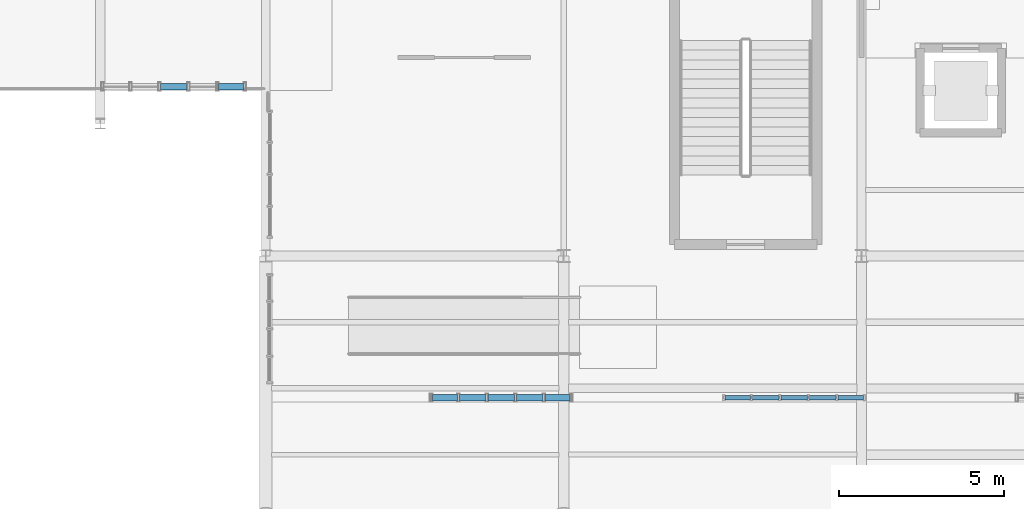
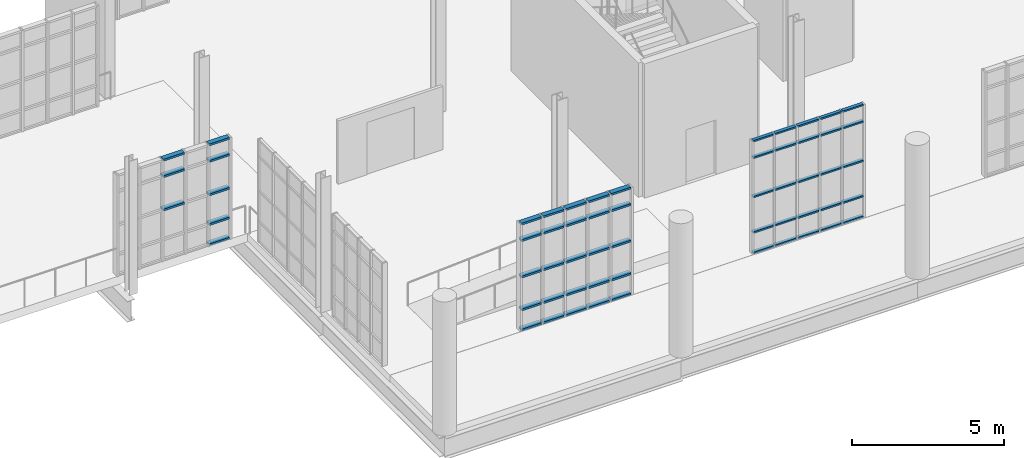
# One storey, part 122 of 189: 58 members, 3 elements without a shape of their own.
"""IFC4 building model written with IfcOpenShell, lengths in metres."""

from ifc_helpers import new_model, si_unit, direction, frame, origin, origin_2d, place, context, subcontext, project, spatial, hollow_rectangle, extrude, material, layer, layer_set, material_profile, profile_set, type_object, element, aggregate, save


model = new_model("IFC4")

# Units and contexts
model_context = context("Model", 3, precision=1e-05, world=origin(), true_north=direction((0.0, 1.0)))
body_context = subcontext(model_context, "Body", "Model", "MODEL_VIEW")
ifc_project = project(units=[si_unit("LENGTHUNIT", "METRE"), si_unit("AREAUNIT", "SQUARE_METRE"), si_unit("VOLUMEUNIT", "CUBIC_METRE"), si_unit("PLANEANGLEUNIT", "RADIAN"), si_unit("MASSUNIT", "GRAM", prefix="KILO"), si_unit("THERMODYNAMICTEMPERATUREUNIT", "KELVIN"), si_unit("POWERUNIT", "WATT")], contexts=[model_context])

# Site, building, storey
site_placement = place(None, origin())
site = spatial("IfcSite", under=ifc_project, at=site_placement, CompositionType="ELEMENT")
building_placement = place(site_placement, origin())
building = spatial("IfcBuilding", under=site, at=building_placement, Name="Zelmaris Science Centre", CompositionType="ELEMENT")
storey_placement = place(building_placement, origin())
storey = spatial("IfcBuildingStorey", under=building, at=storey_placement, Name="L00", CompositionType="ELEMENT", Elevation=0.0)

# Curtain wall, members
ifc_material = material(Name="Anodised architectural aluminium 6063-T6", Category="aluminium")
ifc_layer_1 = layer(ifc_material, 0.2099609375, Name="Anodised architectural aluminium 6063-T6")
ifc_layer_set_1 = layer_set([ifc_layer_1], Name="Anodised architectural aluminium 6063-T6")
curtain_wall_type_1 = type_object("IfcCurtainWallType", Name="Curtain Wall CW-03", PredefinedType="USERDEFINED", material=ifc_layer_set_1)
curtain_wall_1_placement = place(storey_placement, origin())
curtain_wall_1 = element("IfcCurtainWall", 1, at=curtain_wall_1_placement, inside=storey, type_object=curtain_wall_type_1, Name="L00 Unitised curtain wall 107", ObjectType="GLAZED CURTAIN WALL", PredefinedType="USERDEFINED")
ifc_material_profile_1 = material_profile(ifc_material, hollow_rectangle(XDim=0.06494140625, YDim=0.1298828125, WallThickness=0.00341796875, at=origin_2d()), Name="ALU-TRN-65X130")
ifc_profile_set_1 = profile_set([ifc_material_profile_1], Name="Anodised architectural aluminium 6063-T6")
member_type_1 = type_object("IfcMemberType", Name="ALU-TRN-65X130", PredefinedType="USERDEFINED", material=ifc_profile_set_1)
member_1_placement = place(storey_placement, frame((126.05810546875, 11.72021484375, 0.013427734375), z_axis=(-1.0, 0.0, 0.0), x_axis=(0.0, 0.0, 1.0)))
member_1 = element("IfcMember", 2, at=member_1_placement, type_object=member_type_1, Name="CW-03 transom 1.1", ObjectType="TRANSOM", PredefinedType="USERDEFINED", context=body_context, shape_type="SweptSolid", body=[
    extrude(hollow_rectangle(XDim=0.06494140625, YDim=0.1298828125, WallThickness=0.00341796875, at=origin_2d()), origin(), (0.0, 0.0, 1.0), 0.775390625),
])
member_2_placement = place(storey_placement, frame((126.05810546875, 11.72021484375, 0.8349609375), z_axis=(-1.0, 0.0, 0.0), x_axis=(0.0, 0.0, 1.0)))
member_2 = element("IfcMember", 3, at=member_2_placement, type_object=member_type_1, Name="CW-03 transom 1.2", ObjectType="TRANSOM", PredefinedType="USERDEFINED", context=body_context, shape_type="SweptSolid", body=[
    extrude(hollow_rectangle(XDim=0.06494140625, YDim=0.1298828125, WallThickness=0.00341796875, at=origin_2d()), origin(), (0.0, 0.0, 1.0), 0.775390625),
])
member_3_placement = place(storey_placement, frame((126.05810546875, 11.72021484375, 2.261962890625), z_axis=(-1.0, 0.0, 0.0), x_axis=(0.0, 0.0, 1.0)))
member_3 = element("IfcMember", 4, at=member_3_placement, type_object=member_type_1, Name="CW-03 transom 1.3", ObjectType="TRANSOM", PredefinedType="USERDEFINED", context=body_context, shape_type="SweptSolid", body=[
    extrude(hollow_rectangle(XDim=0.06494140625, YDim=0.1298828125, WallThickness=0.00341796875, at=origin_2d()), origin(), (0.0, 0.0, 1.0), 0.775390625),
])
member_4_placement = place(storey_placement, frame((126.05810546875, 11.72021484375, 3.839111328125), z_axis=(-1.0, 0.0, 0.0), x_axis=(0.0, 0.0, 1.0)))
member_4 = element("IfcMember", 5, at=member_4_placement, type_object=member_type_1, Name="CW-03 transom 1.4", ObjectType="TRANSOM", PredefinedType="USERDEFINED", context=body_context, shape_type="SweptSolid", body=[
    extrude(hollow_rectangle(XDim=0.06494140625, YDim=0.1298828125, WallThickness=0.00341796875, at=origin_2d()), origin(), (0.0, 0.0, 1.0), 0.775390625),
])
member_5_placement = place(storey_placement, frame((126.05810546875, 11.72021484375, 4.510498046875), z_axis=(-1.0, 0.0, 0.0), x_axis=(0.0, 0.0, 1.0)))
member_5 = element("IfcMember", 6, at=member_5_placement, type_object=member_type_1, Name="CW-03 transom 1.5", ObjectType="TRANSOM", PredefinedType="USERDEFINED", context=body_context, shape_type="SweptSolid", body=[
    extrude(hollow_rectangle(XDim=0.06494140625, YDim=0.1298828125, WallThickness=0.00341796875, at=origin_2d()), origin(), (0.0, 0.0, 1.0), 0.775390625),
])
member_6_placement = place(storey_placement, frame((125.225830078125, 11.72021484375, 0.013427734375), z_axis=(-1.0, 0.0, 0.0), x_axis=(0.0, 0.0, 1.0)))
member_6 = element("IfcMember", 7, at=member_6_placement, type_object=member_type_1, Name="CW-03 transom 2.1", ObjectType="TRANSOM", PredefinedType="USERDEFINED", context=body_context, shape_type="SweptSolid", body=[
    extrude(hollow_rectangle(XDim=0.06494140625, YDim=0.1298828125, WallThickness=0.00341796875, at=origin_2d()), origin(), (0.0, 0.0, 1.0), 0.8037109375),
])
member_7_placement = place(storey_placement, frame((125.225830078125, 11.72021484375, 0.8349609375), z_axis=(-1.0, 0.0, 0.0), x_axis=(0.0, 0.0, 1.0)))
member_7 = element("IfcMember", 8, at=member_7_placement, type_object=member_type_1, Name="CW-03 transom 2.2", ObjectType="TRANSOM", PredefinedType="USERDEFINED", context=body_context, shape_type="SweptSolid", body=[
    extrude(hollow_rectangle(XDim=0.06494140625, YDim=0.1298828125, WallThickness=0.00341796875, at=origin_2d()), origin(), (0.0, 0.0, 1.0), 0.8037109375),
])
member_8_placement = place(storey_placement, frame((125.225830078125, 11.72021484375, 2.261962890625), z_axis=(-1.0, 0.0, 0.0), x_axis=(0.0, 0.0, 1.0)))
member_8 = element("IfcMember", 9, at=member_8_placement, type_object=member_type_1, Name="CW-03 transom 2.3", ObjectType="TRANSOM", PredefinedType="USERDEFINED", context=body_context, shape_type="SweptSolid", body=[
    extrude(hollow_rectangle(XDim=0.06494140625, YDim=0.1298828125, WallThickness=0.00341796875, at=origin_2d()), origin(), (0.0, 0.0, 1.0), 0.8037109375),
])
member_9_placement = place(storey_placement, frame((125.225830078125, 11.72021484375, 3.839111328125), z_axis=(-1.0, 0.0, 0.0), x_axis=(0.0, 0.0, 1.0)))
member_9 = element("IfcMember", 10, at=member_9_placement, type_object=member_type_1, Name="CW-03 transom 2.4", ObjectType="TRANSOM", PredefinedType="USERDEFINED", context=body_context, shape_type="SweptSolid", body=[
    extrude(hollow_rectangle(XDim=0.06494140625, YDim=0.1298828125, WallThickness=0.00341796875, at=origin_2d()), origin(), (0.0, 0.0, 1.0), 0.8037109375),
])
member_10_placement = place(storey_placement, frame((125.225830078125, 11.72021484375, 4.510498046875), z_axis=(-1.0, 0.0, 0.0), x_axis=(0.0, 0.0, 1.0)))
member_10 = element("IfcMember", 11, at=member_10_placement, type_object=member_type_1, Name="CW-03 transom 2.5", ObjectType="TRANSOM", PredefinedType="USERDEFINED", context=body_context, shape_type="SweptSolid", body=[
    extrude(hollow_rectangle(XDim=0.06494140625, YDim=0.1298828125, WallThickness=0.00341796875, at=origin_2d()), origin(), (0.0, 0.0, 1.0), 0.8037109375),
])
member_11_placement = place(storey_placement, frame((124.364990234375, 11.72021484375, 0.013427734375), z_axis=(-1.0, 0.0, 0.0), x_axis=(0.0, 0.0, 1.0)))
member_11 = element("IfcMember", 12, at=member_11_placement, type_object=member_type_1, Name="CW-03 transom 3.1", ObjectType="TRANSOM", PredefinedType="USERDEFINED", context=body_context, shape_type="SweptSolid", body=[
    extrude(hollow_rectangle(XDim=0.06494140625, YDim=0.1298828125, WallThickness=0.00341796875, at=origin_2d()), origin(), (0.0, 0.0, 1.0), 0.8037109375),
])
member_12_placement = place(storey_placement, frame((124.364990234375, 11.72021484375, 0.8349609375), z_axis=(-1.0, 0.0, 0.0), x_axis=(0.0, 0.0, 1.0)))
member_12 = element("IfcMember", 13, at=member_12_placement, type_object=member_type_1, Name="CW-03 transom 3.2", ObjectType="TRANSOM", PredefinedType="USERDEFINED", context=body_context, shape_type="SweptSolid", body=[
    extrude(hollow_rectangle(XDim=0.06494140625, YDim=0.1298828125, WallThickness=0.00341796875, at=origin_2d()), origin(), (0.0, 0.0, 1.0), 0.8037109375),
])
member_13_placement = place(storey_placement, frame((124.364990234375, 11.72021484375, 2.261962890625), z_axis=(-1.0, 0.0, 0.0), x_axis=(0.0, 0.0, 1.0)))
member_13 = element("IfcMember", 14, at=member_13_placement, type_object=member_type_1, Name="CW-03 transom 3.3", ObjectType="TRANSOM", PredefinedType="USERDEFINED", context=body_context, shape_type="SweptSolid", body=[
    extrude(hollow_rectangle(XDim=0.06494140625, YDim=0.1298828125, WallThickness=0.00341796875, at=origin_2d()), origin(), (0.0, 0.0, 1.0), 0.8037109375),
])
member_14_placement = place(storey_placement, frame((124.364990234375, 11.72021484375, 3.839111328125), z_axis=(-1.0, 0.0, 0.0), x_axis=(0.0, 0.0, 1.0)))
member_14 = element("IfcMember", 15, at=member_14_placement, type_object=member_type_1, Name="CW-03 transom 3.4", ObjectType="TRANSOM", PredefinedType="USERDEFINED", context=body_context, shape_type="SweptSolid", body=[
    extrude(hollow_rectangle(XDim=0.06494140625, YDim=0.1298828125, WallThickness=0.00341796875, at=origin_2d()), origin(), (0.0, 0.0, 1.0), 0.8037109375),
])
member_15_placement = place(storey_placement, frame((124.364990234375, 11.72021484375, 4.510498046875), z_axis=(-1.0, 0.0, 0.0), x_axis=(0.0, 0.0, 1.0)))
member_15 = element("IfcMember", 16, at=member_15_placement, type_object=member_type_1, Name="CW-03 transom 3.5", ObjectType="TRANSOM", PredefinedType="USERDEFINED", context=body_context, shape_type="SweptSolid", body=[
    extrude(hollow_rectangle(XDim=0.06494140625, YDim=0.1298828125, WallThickness=0.00341796875, at=origin_2d()), origin(), (0.0, 0.0, 1.0), 0.8037109375),
])
member_16_placement = place(storey_placement, frame((123.50439453125, 11.72021484375, 0.013427734375), z_axis=(-1.0, 0.0, 0.0), x_axis=(0.0, 0.0, 1.0)))
member_16 = element("IfcMember", 17, at=member_16_placement, type_object=member_type_1, Name="CW-03 transom 4.1", ObjectType="TRANSOM", PredefinedType="USERDEFINED", context=body_context, shape_type="SweptSolid", body=[
    extrude(hollow_rectangle(XDim=0.06494140625, YDim=0.1298828125, WallThickness=0.00341796875, at=origin_2d()), origin(), (0.0, 0.0, 1.0), 0.803955078125),
])
member_17_placement = place(storey_placement, frame((123.50439453125, 11.72021484375, 0.8349609375), z_axis=(-1.0, 0.0, 0.0), x_axis=(0.0, 0.0, 1.0)))
member_17 = element("IfcMember", 18, at=member_17_placement, type_object=member_type_1, Name="CW-03 transom 4.2", ObjectType="TRANSOM", PredefinedType="USERDEFINED", context=body_context, shape_type="SweptSolid", body=[
    extrude(hollow_rectangle(XDim=0.06494140625, YDim=0.1298828125, WallThickness=0.00341796875, at=origin_2d()), origin(), (0.0, 0.0, 1.0), 0.803955078125),
])
member_18_placement = place(storey_placement, frame((123.50439453125, 11.72021484375, 2.261962890625), z_axis=(-1.0, 0.0, 0.0), x_axis=(0.0, 0.0, 1.0)))
member_18 = element("IfcMember", 19, at=member_18_placement, type_object=member_type_1, Name="CW-03 transom 4.3", ObjectType="TRANSOM", PredefinedType="USERDEFINED", context=body_context, shape_type="SweptSolid", body=[
    extrude(hollow_rectangle(XDim=0.06494140625, YDim=0.1298828125, WallThickness=0.00341796875, at=origin_2d()), origin(), (0.0, 0.0, 1.0), 0.803955078125),
])
member_19_placement = place(storey_placement, frame((123.50439453125, 11.72021484375, 3.839111328125), z_axis=(-1.0, 0.0, 0.0), x_axis=(0.0, 0.0, 1.0)))
member_19 = element("IfcMember", 20, at=member_19_placement, type_object=member_type_1, Name="CW-03 transom 4.4", ObjectType="TRANSOM", PredefinedType="USERDEFINED", context=body_context, shape_type="SweptSolid", body=[
    extrude(hollow_rectangle(XDim=0.06494140625, YDim=0.1298828125, WallThickness=0.00341796875, at=origin_2d()), origin(), (0.0, 0.0, 1.0), 0.803955078125),
])
member_20_placement = place(storey_placement, frame((123.50439453125, 11.72021484375, 4.510498046875), z_axis=(-1.0, 0.0, 0.0), x_axis=(0.0, 0.0, 1.0)))
member_20 = element("IfcMember", 21, at=member_20_placement, type_object=member_type_1, Name="CW-03 transom 4.5", ObjectType="TRANSOM", PredefinedType="USERDEFINED", context=body_context, shape_type="SweptSolid", body=[
    extrude(hollow_rectangle(XDim=0.06494140625, YDim=0.1298828125, WallThickness=0.00341796875, at=origin_2d()), origin(), (0.0, 0.0, 1.0), 0.803955078125),
])
member_21_placement = place(storey_placement, frame((122.6435546875, 11.72021484375, 0.013427734375), z_axis=(-1.0, 0.0, 0.0), x_axis=(0.0, 0.0, 1.0)))
member_21 = element("IfcMember", 22, at=member_21_placement, type_object=member_type_1, Name="CW-03 transom 5.1", ObjectType="TRANSOM", PredefinedType="USERDEFINED", context=body_context, shape_type="SweptSolid", body=[
    extrude(hollow_rectangle(XDim=0.06494140625, YDim=0.1298828125, WallThickness=0.00341796875, at=origin_2d()), origin(), (0.0, 0.0, 1.0), 0.775146484375),
])
member_22_placement = place(storey_placement, frame((122.6435546875, 11.72021484375, 0.8349609375), z_axis=(-1.0, 0.0, 0.0), x_axis=(0.0, 0.0, 1.0)))
member_22 = element("IfcMember", 23, at=member_22_placement, type_object=member_type_1, Name="CW-03 transom 5.2", ObjectType="TRANSOM", PredefinedType="USERDEFINED", context=body_context, shape_type="SweptSolid", body=[
    extrude(hollow_rectangle(XDim=0.06494140625, YDim=0.1298828125, WallThickness=0.00341796875, at=origin_2d()), origin(), (0.0, 0.0, 1.0), 0.775146484375),
])
member_23_placement = place(storey_placement, frame((122.6435546875, 11.72021484375, 2.261962890625), z_axis=(-1.0, 0.0, 0.0), x_axis=(0.0, 0.0, 1.0)))
member_23 = element("IfcMember", 24, at=member_23_placement, type_object=member_type_1, Name="CW-03 transom 5.3", ObjectType="TRANSOM", PredefinedType="USERDEFINED", context=body_context, shape_type="SweptSolid", body=[
    extrude(hollow_rectangle(XDim=0.06494140625, YDim=0.1298828125, WallThickness=0.00341796875, at=origin_2d()), origin(), (0.0, 0.0, 1.0), 0.775146484375),
])
member_24_placement = place(storey_placement, frame((122.6435546875, 11.72021484375, 3.839111328125), z_axis=(-1.0, 0.0, 0.0), x_axis=(0.0, 0.0, 1.0)))
member_24 = element("IfcMember", 25, at=member_24_placement, type_object=member_type_1, Name="CW-03 transom 5.4", ObjectType="TRANSOM", PredefinedType="USERDEFINED", context=body_context, shape_type="SweptSolid", body=[
    extrude(hollow_rectangle(XDim=0.06494140625, YDim=0.1298828125, WallThickness=0.00341796875, at=origin_2d()), origin(), (0.0, 0.0, 1.0), 0.775146484375),
])
member_25_placement = place(storey_placement, frame((122.6435546875, 11.72021484375, 4.510498046875), z_axis=(-1.0, 0.0, 0.0), x_axis=(0.0, 0.0, 1.0)))
member_25 = element("IfcMember", 26, at=member_25_placement, type_object=member_type_1, Name="CW-03 transom 5.5", ObjectType="TRANSOM", PredefinedType="USERDEFINED", context=body_context, shape_type="SweptSolid", body=[
    extrude(hollow_rectangle(XDim=0.06494140625, YDim=0.1298828125, WallThickness=0.00341796875, at=origin_2d()), origin(), (0.0, 0.0, 1.0), 0.775146484375),
])
aggregate(curtain_wall_1, [member_1, member_2, member_3, member_4, member_5, member_6, member_7, member_8, member_9, member_10, member_11, member_12, member_13, member_14, member_15, member_16, member_17, member_18, member_19, member_20, member_21, member_22, member_23, member_24, member_25])

ifc_layer_2 = layer(ifc_material, 0.18994140625, Name="Anodised architectural aluminium 6063-T6")
ifc_layer_set_2 = layer_set([ifc_layer_2], Name="Anodised architectural aluminium 6063-T6")
curtain_wall_type_2 = type_object("IfcCurtainWallType", Name="Curtain Wall CW-01", PredefinedType="USERDEFINED", material=ifc_layer_set_2)
curtain_wall_2_placement = place(storey_placement, origin())
curtain_wall_2 = element("IfcCurtainWall", 27, at=curtain_wall_2_placement, inside=storey, type_object=curtain_wall_type_2, Name="L00 Unitised curtain wall 109", ObjectType="GLAZED CURTAIN WALL", PredefinedType="USERDEFINED")
ifc_material_profile_2 = material_profile(ifc_material, hollow_rectangle(XDim=0.080078125, YDim=0.18994140625, WallThickness=0.00439453125, at=origin_2d()), Name="ALU-TRN-80X190")
ifc_profile_set_2 = profile_set([ifc_material_profile_2], Name="Anodised architectural aluminium 6063-T6")
member_type_2 = type_object("IfcMemberType", Name="ALU-TRN-80X190", PredefinedType="USERDEFINED", material=ifc_profile_set_2)
member_26_placement = place(storey_placement, frame((117.195556640625, 11.72021484375, 0.02099609375), z_axis=(-1.0, 0.0, 0.0), x_axis=(0.0, 0.0, 1.0)))
member_26 = element("IfcMember", 28, at=member_26_placement, type_object=member_type_2, Name="CW-01 transom 1.1", ObjectType="TRANSOM", PredefinedType="USERDEFINED", context=body_context, shape_type="SweptSolid", body=[
    extrude(hollow_rectangle(XDim=0.080078125, YDim=0.18994140625, WallThickness=0.00439453125, at=origin_2d()), origin(), (0.0, 0.0, 1.0), 0.752685546875),
])
member_27_placement = place(storey_placement, frame((117.195556640625, 11.72021484375, 0.8349609375), z_axis=(-1.0, 0.0, 0.0), x_axis=(0.0, 0.0, 1.0)))
member_27 = element("IfcMember", 29, at=member_27_placement, type_object=member_type_2, Name="CW-01 transom 1.2", ObjectType="TRANSOM", PredefinedType="USERDEFINED", context=body_context, shape_type="SweptSolid", body=[
    extrude(hollow_rectangle(XDim=0.080078125, YDim=0.18994140625, WallThickness=0.00439453125, at=origin_2d()), origin(), (0.0, 0.0, 1.0), 0.752685546875),
])
member_28_placement = place(storey_placement, frame((117.195556640625, 11.72021484375, 2.154052734375), z_axis=(-1.0, 0.0, 0.0), x_axis=(0.0, 0.0, 1.0)))
member_28 = element("IfcMember", 30, at=member_28_placement, type_object=member_type_2, Name="CW-01 transom 1.3", ObjectType="TRANSOM", PredefinedType="USERDEFINED", context=body_context, shape_type="SweptSolid", body=[
    extrude(hollow_rectangle(XDim=0.080078125, YDim=0.18994140625, WallThickness=0.00439453125, at=origin_2d()), origin(), (0.0, 0.0, 1.0), 0.752685546875),
])
member_29_placement = place(storey_placement, frame((117.195556640625, 11.72021484375, 3.623046875), z_axis=(-1.0, 0.0, 0.0), x_axis=(0.0, 0.0, 1.0)))
member_29 = element("IfcMember", 31, at=member_29_placement, type_object=member_type_2, Name="CW-01 transom 1.4", ObjectType="TRANSOM", PredefinedType="USERDEFINED", context=body_context, shape_type="SweptSolid", body=[
    extrude(hollow_rectangle(XDim=0.080078125, YDim=0.18994140625, WallThickness=0.00439453125, at=origin_2d()), origin(), (0.0, 0.0, 1.0), 0.752685546875),
])
member_30_placement = place(storey_placement, frame((117.195556640625, 11.72021484375, 4.287109375), z_axis=(-1.0, 0.0, 0.0), x_axis=(0.0, 0.0, 1.0)))
member_30 = element("IfcMember", 32, at=member_30_placement, type_object=member_type_2, Name="CW-01 transom 1.5", ObjectType="TRANSOM", PredefinedType="USERDEFINED", context=body_context, shape_type="SweptSolid", body=[
    extrude(hollow_rectangle(XDim=0.080078125, YDim=0.18994140625, WallThickness=0.00439453125, at=origin_2d()), origin(), (0.0, 0.0, 1.0), 0.752685546875),
])
member_31_placement = place(storey_placement, frame((116.370849609375, 11.72021484375, 0.02099609375), z_axis=(-1.0, 0.0, 0.0), x_axis=(0.0, 0.0, 1.0)))
member_31 = element("IfcMember", 33, at=member_31_placement, type_object=member_type_2, Name="CW-01 transom 2.1", ObjectType="TRANSOM", PredefinedType="USERDEFINED", context=body_context, shape_type="SweptSolid", body=[
    extrude(hollow_rectangle(XDim=0.080078125, YDim=0.18994140625, WallThickness=0.00439453125, at=origin_2d()), origin(), (0.0, 0.0, 1.0), 0.788818359375),
])
member_32_placement = place(storey_placement, frame((116.370849609375, 11.72021484375, 0.8349609375), z_axis=(-1.0, 0.0, 0.0), x_axis=(0.0, 0.0, 1.0)))
member_32 = element("IfcMember", 34, at=member_32_placement, type_object=member_type_2, Name="CW-01 transom 2.2", ObjectType="TRANSOM", PredefinedType="USERDEFINED", context=body_context, shape_type="SweptSolid", body=[
    extrude(hollow_rectangle(XDim=0.080078125, YDim=0.18994140625, WallThickness=0.00439453125, at=origin_2d()), origin(), (0.0, 0.0, 1.0), 0.788818359375),
])
member_33_placement = place(storey_placement, frame((116.370849609375, 11.72021484375, 2.154052734375), z_axis=(-1.0, 0.0, 0.0), x_axis=(0.0, 0.0, 1.0)))
member_33 = element("IfcMember", 35, at=member_33_placement, type_object=member_type_2, Name="CW-01 transom 2.3", ObjectType="TRANSOM", PredefinedType="USERDEFINED", context=body_context, shape_type="SweptSolid", body=[
    extrude(hollow_rectangle(XDim=0.080078125, YDim=0.18994140625, WallThickness=0.00439453125, at=origin_2d()), origin(), (0.0, 0.0, 1.0), 0.788818359375),
])
member_34_placement = place(storey_placement, frame((116.370849609375, 11.72021484375, 3.623046875), z_axis=(-1.0, 0.0, 0.0), x_axis=(0.0, 0.0, 1.0)))
member_34 = element("IfcMember", 36, at=member_34_placement, type_object=member_type_2, Name="CW-01 transom 2.4", ObjectType="TRANSOM", PredefinedType="USERDEFINED", context=body_context, shape_type="SweptSolid", body=[
    extrude(hollow_rectangle(XDim=0.080078125, YDim=0.18994140625, WallThickness=0.00439453125, at=origin_2d()), origin(), (0.0, 0.0, 1.0), 0.788818359375),
])
member_35_placement = place(storey_placement, frame((116.370849609375, 11.72021484375, 4.287109375), z_axis=(-1.0, 0.0, 0.0), x_axis=(0.0, 0.0, 1.0)))
member_35 = element("IfcMember", 37, at=member_35_placement, type_object=member_type_2, Name="CW-01 transom 2.5", ObjectType="TRANSOM", PredefinedType="USERDEFINED", context=body_context, shape_type="SweptSolid", body=[
    extrude(hollow_rectangle(XDim=0.080078125, YDim=0.18994140625, WallThickness=0.00439453125, at=origin_2d()), origin(), (0.0, 0.0, 1.0), 0.788818359375),
])
member_36_placement = place(storey_placement, frame((115.510009765625, 11.72021484375, 0.02099609375), z_axis=(-1.0, 0.0, 0.0), x_axis=(0.0, 0.0, 1.0)))
member_36 = element("IfcMember", 38, at=member_36_placement, type_object=member_type_2, Name="CW-01 transom 3.1", ObjectType="TRANSOM", PredefinedType="USERDEFINED", context=body_context, shape_type="SweptSolid", body=[
    extrude(hollow_rectangle(XDim=0.080078125, YDim=0.18994140625, WallThickness=0.00439453125, at=origin_2d()), origin(), (0.0, 0.0, 1.0), 0.78857421875),
])
member_37_placement = place(storey_placement, frame((115.510009765625, 11.72021484375, 0.8349609375), z_axis=(-1.0, 0.0, 0.0), x_axis=(0.0, 0.0, 1.0)))
member_37 = element("IfcMember", 39, at=member_37_placement, type_object=member_type_2, Name="CW-01 transom 3.2", ObjectType="TRANSOM", PredefinedType="USERDEFINED", context=body_context, shape_type="SweptSolid", body=[
    extrude(hollow_rectangle(XDim=0.080078125, YDim=0.18994140625, WallThickness=0.00439453125, at=origin_2d()), origin(), (0.0, 0.0, 1.0), 0.78857421875),
])
member_38_placement = place(storey_placement, frame((115.510009765625, 11.72021484375, 2.154052734375), z_axis=(-1.0, 0.0, 0.0), x_axis=(0.0, 0.0, 1.0)))
member_38 = element("IfcMember", 40, at=member_38_placement, type_object=member_type_2, Name="CW-01 transom 3.3", ObjectType="TRANSOM", PredefinedType="USERDEFINED", context=body_context, shape_type="SweptSolid", body=[
    extrude(hollow_rectangle(XDim=0.080078125, YDim=0.18994140625, WallThickness=0.00439453125, at=origin_2d()), origin(), (0.0, 0.0, 1.0), 0.78857421875),
])
member_39_placement = place(storey_placement, frame((115.510009765625, 11.72021484375, 3.623046875), z_axis=(-1.0, 0.0, 0.0), x_axis=(0.0, 0.0, 1.0)))
member_39 = element("IfcMember", 41, at=member_39_placement, type_object=member_type_2, Name="CW-01 transom 3.4", ObjectType="TRANSOM", PredefinedType="USERDEFINED", context=body_context, shape_type="SweptSolid", body=[
    extrude(hollow_rectangle(XDim=0.080078125, YDim=0.18994140625, WallThickness=0.00439453125, at=origin_2d()), origin(), (0.0, 0.0, 1.0), 0.78857421875),
])
member_40_placement = place(storey_placement, frame((115.510009765625, 11.72021484375, 4.287109375), z_axis=(-1.0, 0.0, 0.0), x_axis=(0.0, 0.0, 1.0)))
member_40 = element("IfcMember", 42, at=member_40_placement, type_object=member_type_2, Name="CW-01 transom 3.5", ObjectType="TRANSOM", PredefinedType="USERDEFINED", context=body_context, shape_type="SweptSolid", body=[
    extrude(hollow_rectangle(XDim=0.080078125, YDim=0.18994140625, WallThickness=0.00439453125, at=origin_2d()), origin(), (0.0, 0.0, 1.0), 0.78857421875),
])
member_41_placement = place(storey_placement, frame((114.6494140625, 11.72021484375, 0.02099609375), z_axis=(-1.0, 0.0, 0.0), x_axis=(0.0, 0.0, 1.0)))
member_41 = element("IfcMember", 43, at=member_41_placement, type_object=member_type_2, Name="CW-01 transom 4.1", ObjectType="TRANSOM", PredefinedType="USERDEFINED", context=body_context, shape_type="SweptSolid", body=[
    extrude(hollow_rectangle(XDim=0.080078125, YDim=0.18994140625, WallThickness=0.00439453125, at=origin_2d()), origin(), (0.0, 0.0, 1.0), 0.788818359375),
])
member_42_placement = place(storey_placement, frame((114.6494140625, 11.72021484375, 0.8349609375), z_axis=(-1.0, 0.0, 0.0), x_axis=(0.0, 0.0, 1.0)))
member_42 = element("IfcMember", 44, at=member_42_placement, type_object=member_type_2, Name="CW-01 transom 4.2", ObjectType="TRANSOM", PredefinedType="USERDEFINED", context=body_context, shape_type="SweptSolid", body=[
    extrude(hollow_rectangle(XDim=0.080078125, YDim=0.18994140625, WallThickness=0.00439453125, at=origin_2d()), origin(), (0.0, 0.0, 1.0), 0.788818359375),
])
member_43_placement = place(storey_placement, frame((114.6494140625, 11.72021484375, 2.154052734375), z_axis=(-1.0, 0.0, 0.0), x_axis=(0.0, 0.0, 1.0)))
member_43 = element("IfcMember", 45, at=member_43_placement, type_object=member_type_2, Name="CW-01 transom 4.3", ObjectType="TRANSOM", PredefinedType="USERDEFINED", context=body_context, shape_type="SweptSolid", body=[
    extrude(hollow_rectangle(XDim=0.080078125, YDim=0.18994140625, WallThickness=0.00439453125, at=origin_2d()), origin(), (0.0, 0.0, 1.0), 0.788818359375),
])
member_44_placement = place(storey_placement, frame((114.6494140625, 11.72021484375, 3.623046875), z_axis=(-1.0, 0.0, 0.0), x_axis=(0.0, 0.0, 1.0)))
member_44 = element("IfcMember", 46, at=member_44_placement, type_object=member_type_2, Name="CW-01 transom 4.4", ObjectType="TRANSOM", PredefinedType="USERDEFINED", context=body_context, shape_type="SweptSolid", body=[
    extrude(hollow_rectangle(XDim=0.080078125, YDim=0.18994140625, WallThickness=0.00439453125, at=origin_2d()), origin(), (0.0, 0.0, 1.0), 0.788818359375),
])
member_45_placement = place(storey_placement, frame((114.6494140625, 11.72021484375, 4.287109375), z_axis=(-1.0, 0.0, 0.0), x_axis=(0.0, 0.0, 1.0)))
member_45 = element("IfcMember", 47, at=member_45_placement, type_object=member_type_2, Name="CW-01 transom 4.5", ObjectType="TRANSOM", PredefinedType="USERDEFINED", context=body_context, shape_type="SweptSolid", body=[
    extrude(hollow_rectangle(XDim=0.080078125, YDim=0.18994140625, WallThickness=0.00439453125, at=origin_2d()), origin(), (0.0, 0.0, 1.0), 0.788818359375),
])
member_46_placement = place(storey_placement, frame((113.78857421875, 11.72021484375, 0.02099609375), z_axis=(-1.0, 0.0, 0.0), x_axis=(0.0, 0.0, 1.0)))
member_46 = element("IfcMember", 48, at=member_46_placement, type_object=member_type_2, Name="CW-01 transom 5.1", ObjectType="TRANSOM", PredefinedType="USERDEFINED", context=body_context, shape_type="SweptSolid", body=[
    extrude(hollow_rectangle(XDim=0.080078125, YDim=0.18994140625, WallThickness=0.00439453125, at=origin_2d()), origin(), (0.0, 0.0, 1.0), 0.752685546875),
])
member_47_placement = place(storey_placement, frame((113.78857421875, 11.72021484375, 0.8349609375), z_axis=(-1.0, 0.0, 0.0), x_axis=(0.0, 0.0, 1.0)))
member_47 = element("IfcMember", 49, at=member_47_placement, type_object=member_type_2, Name="CW-01 transom 5.2", ObjectType="TRANSOM", PredefinedType="USERDEFINED", context=body_context, shape_type="SweptSolid", body=[
    extrude(hollow_rectangle(XDim=0.080078125, YDim=0.18994140625, WallThickness=0.00439453125, at=origin_2d()), origin(), (0.0, 0.0, 1.0), 0.752685546875),
])
member_48_placement = place(storey_placement, frame((113.78857421875, 11.72021484375, 2.154052734375), z_axis=(-1.0, 0.0, 0.0), x_axis=(0.0, 0.0, 1.0)))
member_48 = element("IfcMember", 50, at=member_48_placement, type_object=member_type_2, Name="CW-01 transom 5.3", ObjectType="TRANSOM", PredefinedType="USERDEFINED", context=body_context, shape_type="SweptSolid", body=[
    extrude(hollow_rectangle(XDim=0.080078125, YDim=0.18994140625, WallThickness=0.00439453125, at=origin_2d()), origin(), (0.0, 0.0, 1.0), 0.752685546875),
])
member_49_placement = place(storey_placement, frame((113.78857421875, 11.72021484375, 3.623046875), z_axis=(-1.0, 0.0, 0.0), x_axis=(0.0, 0.0, 1.0)))
member_49 = element("IfcMember", 51, at=member_49_placement, type_object=member_type_2, Name="CW-01 transom 5.4", ObjectType="TRANSOM", PredefinedType="USERDEFINED", context=body_context, shape_type="SweptSolid", body=[
    extrude(hollow_rectangle(XDim=0.080078125, YDim=0.18994140625, WallThickness=0.00439453125, at=origin_2d()), origin(), (0.0, 0.0, 1.0), 0.752685546875),
])
member_50_placement = place(storey_placement, frame((113.78857421875, 11.72021484375, 4.287109375), z_axis=(-1.0, 0.0, 0.0), x_axis=(0.0, 0.0, 1.0)))
member_50 = element("IfcMember", 52, at=member_50_placement, type_object=member_type_2, Name="CW-01 transom 5.5", ObjectType="TRANSOM", PredefinedType="USERDEFINED", context=body_context, shape_type="SweptSolid", body=[
    extrude(hollow_rectangle(XDim=0.080078125, YDim=0.18994140625, WallThickness=0.00439453125, at=origin_2d()), origin(), (0.0, 0.0, 1.0), 0.752685546875),
])
aggregate(curtain_wall_2, [member_26, member_27, member_28, member_29, member_30, member_31, member_32, member_33, member_34, member_35, member_36, member_37, member_38, member_39, member_40, member_41, member_42, member_43, member_44, member_45, member_46, member_47, member_48, member_49, member_50])

curtain_wall_3_placement = place(storey_placement, origin())
curtain_wall_3 = element("IfcCurtainWall", 53, at=curtain_wall_3_placement, inside=storey, type_object=curtain_wall_type_2, Name="L00 Unitised curtain wall 113", ObjectType="GLAZED CURTAIN WALL", PredefinedType="USERDEFINED")
member_51_placement = place(storey_placement, frame((107.339599609375, 21.118896484375, 0.02099609375), z_axis=(-1.0, 0.0, 0.0), x_axis=(0.0, 0.0, 1.0)))
member_51 = element("IfcMember", 54, at=member_51_placement, type_object=member_type_2, Name="CW-01 transom 1.1", ObjectType="TRANSOM", PredefinedType="USERDEFINED", context=body_context, shape_type="SweptSolid", body=[
    extrude(hollow_rectangle(XDim=0.080078125, YDim=0.18994140625, WallThickness=0.00439453125, at=origin_2d()), origin(), (0.0, 0.0, 1.0), 0.767333984375),
])
member_52_placement = place(storey_placement, frame((107.339599609375, 21.118896484375, 0.8349609375), z_axis=(-1.0, 0.0, 0.0), x_axis=(0.0, 0.0, 1.0)))
member_52 = element("IfcMember", 55, at=member_52_placement, type_object=member_type_2, Name="CW-01 transom 1.2", ObjectType="TRANSOM", PredefinedType="USERDEFINED", context=body_context, shape_type="SweptSolid", body=[
    extrude(hollow_rectangle(XDim=0.080078125, YDim=0.18994140625, WallThickness=0.00439453125, at=origin_2d()), origin(), (0.0, 0.0, 1.0), 0.767333984375),
])
member_53_placement = place(storey_placement, frame((107.339599609375, 21.118896484375, 2.029541015625), z_axis=(-1.0, 0.0, 0.0), x_axis=(0.0, 0.0, 1.0)))
member_53 = element("IfcMember", 56, at=member_53_placement, type_object=member_type_2, Name="CW-01 transom 1.3", ObjectType="TRANSOM", PredefinedType="USERDEFINED", context=body_context, shape_type="SweptSolid", body=[
    extrude(hollow_rectangle(XDim=0.080078125, YDim=0.18994140625, WallThickness=0.00439453125, at=origin_2d()), origin(), (0.0, 0.0, 1.0), 0.767333984375),
])
member_54_placement = place(storey_placement, frame((107.339599609375, 21.118896484375, 3.3740234375), z_axis=(-1.0, 0.0, 0.0), x_axis=(0.0, 0.0, 1.0)))
member_54 = element("IfcMember", 57, at=member_54_placement, type_object=member_type_2, Name="CW-01 transom 1.4", ObjectType="TRANSOM", PredefinedType="USERDEFINED", context=body_context, shape_type="SweptSolid", body=[
    extrude(hollow_rectangle(XDim=0.080078125, YDim=0.18994140625, WallThickness=0.00439453125, at=origin_2d()), origin(), (0.0, 0.0, 1.0), 0.767333984375),
])
member_55_placement = place(storey_placement, frame((107.339599609375, 21.118896484375, 4.0380859375), z_axis=(-1.0, 0.0, 0.0), x_axis=(0.0, 0.0, 1.0)))
member_55 = element("IfcMember", 58, at=member_55_placement, type_object=member_type_2, Name="CW-01 transom 1.5", ObjectType="TRANSOM", PredefinedType="USERDEFINED", context=body_context, shape_type="SweptSolid", body=[
    extrude(hollow_rectangle(XDim=0.080078125, YDim=0.18994140625, WallThickness=0.00439453125, at=origin_2d()), origin(), (0.0, 0.0, 1.0), 0.767333984375),
])
member_56_placement = place(storey_placement, frame((105.624755859375, 21.119140625, 2.029541015625), z_axis=(-1.0, 0.0, 0.0), x_axis=(0.0, 0.0, 1.0)))
member_56 = element("IfcMember", 59, at=member_56_placement, type_object=member_type_2, Name="CW-01 transom 3.3", ObjectType="TRANSOM", PredefinedType="USERDEFINED", context=body_context, shape_type="SweptSolid", body=[
    extrude(hollow_rectangle(XDim=0.080078125, YDim=0.18994140625, WallThickness=0.00439453125, at=origin_2d()), origin(), (0.0, 0.0, 1.0), 0.803466796875),
])
member_57_placement = place(storey_placement, frame((105.624755859375, 21.119140625, 3.3740234375), z_axis=(-1.0, 0.0, 0.0), x_axis=(0.0, 0.0, 1.0)))
member_57 = element("IfcMember", 60, at=member_57_placement, type_object=member_type_2, Name="CW-01 transom 3.4", ObjectType="TRANSOM", PredefinedType="USERDEFINED", context=body_context, shape_type="SweptSolid", body=[
    extrude(hollow_rectangle(XDim=0.080078125, YDim=0.18994140625, WallThickness=0.00439453125, at=origin_2d()), origin(), (0.0, 0.0, 1.0), 0.803466796875),
])
member_58_placement = place(storey_placement, frame((105.624755859375, 21.119140625, 4.0380859375), z_axis=(-1.0, 0.0, 0.0), x_axis=(0.0, 0.0, 1.0)))
member_58 = element("IfcMember", 61, at=member_58_placement, type_object=member_type_2, Name="CW-01 transom 3.5", ObjectType="TRANSOM", PredefinedType="USERDEFINED", context=body_context, shape_type="SweptSolid", body=[
    extrude(hollow_rectangle(XDim=0.080078125, YDim=0.18994140625, WallThickness=0.00439453125, at=origin_2d()), origin(), (0.0, 0.0, 1.0), 0.803466796875),
])
aggregate(curtain_wall_3, [member_51, member_52, member_53, member_54, member_55, member_56, member_57, member_58])

save(model, "model.ifc")
